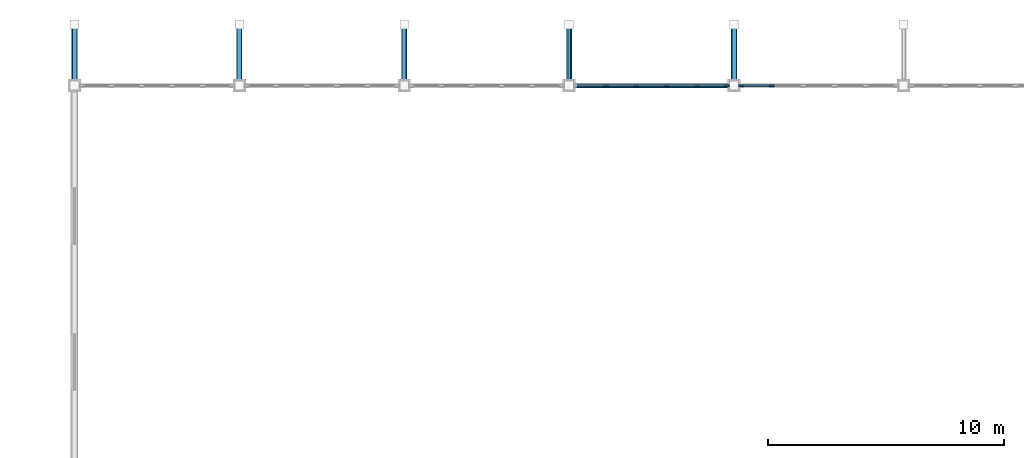
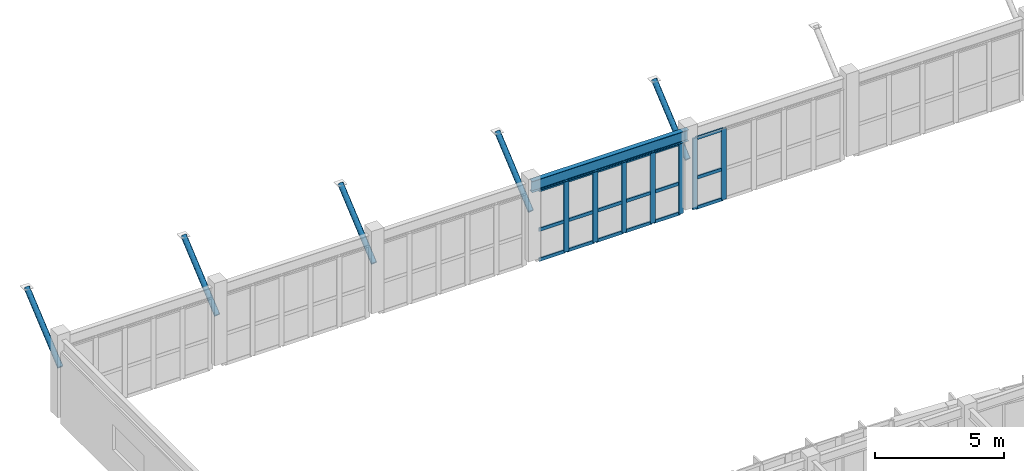
# One storey, part 43 of 111: 30 members, 1 beam, 2 elements without a shape of their own.
"""IFC4 building model written with IfcOpenShell, lengths in metres."""

from ifc_helpers import new_model, si_unit, direction, frame, origin, origin_2d, place, context, subcontext, project, spatial, rectangle, hollow_circle, i_section, extrude, material, material_profile, profile_set, type_object, element, aggregate, save


model = new_model("IFC4")

# Units and contexts
model_context = context("Model", 3, precision=1e-05, world=origin(), true_north=direction((0.0, 1.0)))
body_context = subcontext(model_context, "Body", "Model", "MODEL_VIEW")
ifc_project = project(units=[si_unit("LENGTHUNIT", "METRE"), si_unit("AREAUNIT", "SQUARE_METRE"), si_unit("VOLUMEUNIT", "CUBIC_METRE"), si_unit("PLANEANGLEUNIT", "RADIAN"), si_unit("MASSUNIT", "GRAM", prefix="KILO")], contexts=[model_context])

# Site, building, storey
site_placement = place(None, origin())
site = spatial("IfcSite", under=ifc_project, at=site_placement, CompositionType="ELEMENT")
building_placement = place(site_placement, origin())
building = spatial("IfcBuilding", under=site, at=building_placement, Name="Corveleigh Park Community Centre", CompositionType="ELEMENT")
storey_placement = place(building_placement, frame((0.0, 0.0, 4.800048828125)))
storey = spatial("IfcBuildingStorey", under=building, at=storey_placement, Name="L01", CompositionType="ELEMENT", Elevation=4.800048828125)

# Beam
ifc_material_1 = material(Name="Steel S355", Category="steel")
ifc_material_profile_1 = material_profile(ifc_material_1, i_section(OverallWidth=0.2099609375, OverallDepth=0.53662109375, WebThickness=0.0107421875, FlangeThickness=0.017333984375, at=origin_2d()), Name="UKB 533x210x101", Category="steel")
ifc_profile_set_1 = profile_set([ifc_material_profile_1], Name="Steel S355")
beam_type = type_object("IfcBeamType", Name="BM-STL-UKB533x101", PredefinedType="BEAM", material=ifc_profile_set_1)
beam_placement = place(storey_placement, frame((32.205078125, 114.39990234375, 3.34375), z_axis=(1.0, 0.0, 0.0), x_axis=(0.0, 1.0, 0.0)))
element("IfcBeam", 1, at=beam_placement, inside=storey, type_object=beam_type, Name="V2 North Hall Girder", PredefinedType="BEAM", context=body_context, shape_type="SweptSolid", body=[
    extrude(i_section(OverallWidth=0.2099609375, OverallDepth=0.53662109375, WebThickness=0.0107421875, FlangeThickness=0.017333984375, at=origin_2d()), origin(), (0.0, 0.0, 1.0), 6.989990234375),
])

# Curtain wall, members
ifc_material_2 = material(Name="Anodised aluminium 6063-T6", Category="aluminium")
curtain_wall_type = type_object("IfcCurtainWallType", Name="CW-SYS-V2-HALL", PredefinedType="NOTDEFINED", material=ifc_material_2)
curtain_wall_1_placement = place(storey_placement, origin())
curtain_wall_1 = element("IfcCurtainWall", 2, at=curtain_wall_1_placement, inside=storey, type_object=curtain_wall_type, Name="Sports Hall North Clerestory CW 4", PredefinedType="NOTDEFINED")
ifc_material_profile_2 = material_profile(ifc_material_2, rectangle(XDim=0.074951171875, YDim=0.219970703125, at=origin_2d()), Name="ALU-M75x220", Category="aluminium")
ifc_profile_set_2 = profile_set([ifc_material_profile_2], Name="Anodised aluminium 6063-T6")
member_type_1 = type_object("IfcMemberType", Name="CWM-75x220", PredefinedType="MULLION", material=ifc_profile_set_2)
member_1_placement = place(storey_placement, frame((38.887451171875, 114.39990234375, -0.2880859375), z_axis=(0.0, 0.0, 1.0), x_axis=(0.0, -1.0, 0.0)))
member_1 = element("IfcMember", 3, at=member_1_placement, type_object=member_type_1, Name="CW04 mullion 1", PredefinedType="MULLION", context=body_context, shape_type="SweptSolid", body=[
    extrude(rectangle(XDim=0.074951171875, YDim=0.219970703125, at=origin_2d()), origin(), (0.0, 0.0, 1.0), 3.35107421875),
])
member_2_placement = place(storey_placement, frame((37.635009765625, 114.39990234375, -0.2880859375), z_axis=(0.0, 0.0, 1.0), x_axis=(0.0, -1.0, 0.0)))
member_2 = element("IfcMember", 4, at=member_2_placement, type_object=member_type_1, Name="CW04 mullion 2", PredefinedType="MULLION", context=body_context, shape_type="SweptSolid", body=[
    extrude(rectangle(XDim=0.074951171875, YDim=0.219970703125, at=origin_2d()), origin(), (0.0, 0.0, 1.0), 3.35107421875),
])
member_3_placement = place(storey_placement, frame((36.344970703125, 114.39990234375, -0.2880859375), z_axis=(0.0, 0.0, 1.0), x_axis=(0.0, -1.0, 0.0)))
member_3 = element("IfcMember", 5, at=member_3_placement, type_object=member_type_1, Name="CW04 mullion 3", PredefinedType="MULLION", context=body_context, shape_type="SweptSolid", body=[
    extrude(rectangle(XDim=0.074951171875, YDim=0.219970703125, at=origin_2d()), origin(), (0.0, 0.0, 1.0), 3.35107421875),
])
member_4_placement = place(storey_placement, frame((35.054931640625, 114.39990234375, -0.2880859375), z_axis=(0.0, 0.0, 1.0), x_axis=(0.0, -1.0, 0.0)))
member_4 = element("IfcMember", 6, at=member_4_placement, type_object=member_type_1, Name="CW04 mullion 4", PredefinedType="MULLION", context=body_context, shape_type="SweptSolid", body=[
    extrude(rectangle(XDim=0.074951171875, YDim=0.219970703125, at=origin_2d()), origin(), (0.0, 0.0, 1.0), 3.35107421875),
])
member_5_placement = place(storey_placement, frame((33.764892578125, 114.39990234375, -0.2880859375), z_axis=(0.0, 0.0, 1.0), x_axis=(0.0, -1.0, 0.0)))
member_5 = element("IfcMember", 7, at=member_5_placement, type_object=member_type_1, Name="CW04 mullion 5", PredefinedType="MULLION", context=body_context, shape_type="SweptSolid", body=[
    extrude(rectangle(XDim=0.074951171875, YDim=0.219970703125, at=origin_2d()), origin(), (0.0, 0.0, 1.0), 3.35107421875),
])

curtain_wall_2_placement = place(storey_placement, origin())
curtain_wall_2 = element("IfcCurtainWall", 8, at=curtain_wall_2_placement, inside=storey, type_object=curtain_wall_type, Name="Sports Hall North Clerestory CW 5", PredefinedType="NOTDEFINED")
member_6_placement = place(storey_placement, frame((40.804931640625, 114.39990234375, -0.2880859375), z_axis=(0.0, 0.0, 1.0), x_axis=(0.0, -1.0, 0.0)))
member_6 = element("IfcMember", 9, at=member_6_placement, type_object=member_type_1, Name="CW04 mullion 5", PredefinedType="MULLION", context=body_context, shape_type="SweptSolid", body=[
    extrude(rectangle(XDim=0.074951171875, YDim=0.219970703125, at=origin_2d()), origin(), (0.0, 0.0, 1.0), 3.35107421875),
])
member_7_placement = place(storey_placement, frame((39.512451171875, 114.39990234375, -0.2880859375), z_axis=(0.0, 0.0, 1.0), x_axis=(0.0, -1.0, 0.0)))
member_7 = element("IfcMember", 10, at=member_7_placement, type_object=member_type_1, Name="CW04 mullion 6", PredefinedType="MULLION", context=body_context, shape_type="SweptSolid", body=[
    extrude(rectangle(XDim=0.074951171875, YDim=0.219970703125, at=origin_2d()), origin(), (0.0, 0.0, 1.0), 3.35107421875),
])

# Member
ifc_material_profile_3 = material_profile(ifc_material_2, rectangle(XDim=0.070068359375, YDim=0.155029296875, at=origin_2d()), Name="ALU-T70x155", Category="aluminium")
ifc_profile_set_3 = profile_set([ifc_material_profile_3], Name="Anodised aluminium 6063-T6")
member_type_2 = type_object("IfcMemberType", Name="CWT-70x155", PredefinedType="USERDEFINED", material=ifc_profile_set_3)
member_8_placement = place(storey_placement, frame((38.85009765625, 114.39990234375, -0.2529296875), z_axis=(-1.0, 0.0, 0.0), x_axis=(0.0, -1.0, 0.0)))
member_8 = element("IfcMember", 11, at=member_8_placement, type_object=member_type_2, Name="CW04 transom 1.1", ObjectType="TRANSOM", PredefinedType="USERDEFINED", context=body_context, shape_type="SweptSolid", body=[
    extrude(rectangle(XDim=0.070068359375, YDim=0.155029296875, at=origin_2d()), origin(), (0.0, 0.0, 1.0), 1.177490234375),
])

member_9_placement = place(storey_placement, frame((38.85009765625, 114.39990234375, 1.161865234375), z_axis=(-1.0, 0.0, 0.0), x_axis=(0.0, -1.0, 0.0)))
member_9 = element("IfcMember", 12, at=member_9_placement, type_object=member_type_2, Name="CW04 transom 1.2", ObjectType="TRANSOM", PredefinedType="USERDEFINED", context=body_context, shape_type="SweptSolid", body=[
    extrude(rectangle(XDim=0.070068359375, YDim=0.155029296875, at=origin_2d()), origin(), (0.0, 0.0, 1.0), 1.177490234375),
])

member_10_placement = place(storey_placement, frame((38.85009765625, 114.39990234375, 3.02783203125), z_axis=(-1.0, 0.0, 0.0), x_axis=(0.0, -1.0, 0.0)))
member_10 = element("IfcMember", 13, at=member_10_placement, type_object=member_type_2, Name="CW04 transom 1.3", ObjectType="TRANSOM", PredefinedType="USERDEFINED", context=body_context, shape_type="SweptSolid", body=[
    extrude(rectangle(XDim=0.070068359375, YDim=0.155029296875, at=origin_2d()), origin(), (0.0, 0.0, 1.0), 1.177490234375),
])

member_11_placement = place(storey_placement, frame((37.597412109375, 114.39990234375, -0.2529296875), z_axis=(-1.0, 0.0, 0.0), x_axis=(0.0, -1.0, 0.0)))
member_11 = element("IfcMember", 14, at=member_11_placement, type_object=member_type_2, Name="CW04 transom 2.1", ObjectType="TRANSOM", PredefinedType="USERDEFINED", context=body_context, shape_type="SweptSolid", body=[
    extrude(rectangle(XDim=0.070068359375, YDim=0.155029296875, at=origin_2d()), origin(), (0.0, 0.0, 1.0), 1.21484375),
])

member_12_placement = place(storey_placement, frame((37.597412109375, 114.39990234375, 1.161865234375), z_axis=(-1.0, 0.0, 0.0), x_axis=(0.0, -1.0, 0.0)))
member_12 = element("IfcMember", 15, at=member_12_placement, type_object=member_type_2, Name="CW04 transom 2.2", ObjectType="TRANSOM", PredefinedType="USERDEFINED", context=body_context, shape_type="SweptSolid", body=[
    extrude(rectangle(XDim=0.070068359375, YDim=0.155029296875, at=origin_2d()), origin(), (0.0, 0.0, 1.0), 1.21484375),
])

member_13_placement = place(storey_placement, frame((37.597412109375, 114.39990234375, 3.02783203125), z_axis=(-1.0, 0.0, 0.0), x_axis=(0.0, -1.0, 0.0)))
member_13 = element("IfcMember", 16, at=member_13_placement, type_object=member_type_2, Name="CW04 transom 2.3", ObjectType="TRANSOM", PredefinedType="USERDEFINED", context=body_context, shape_type="SweptSolid", body=[
    extrude(rectangle(XDim=0.070068359375, YDim=0.155029296875, at=origin_2d()), origin(), (0.0, 0.0, 1.0), 1.21484375),
])

member_14_placement = place(storey_placement, frame((36.3076171875, 114.39990234375, -0.2529296875), z_axis=(-1.0, 0.0, 0.0), x_axis=(0.0, -1.0, 0.0)))
member_14 = element("IfcMember", 17, at=member_14_placement, type_object=member_type_2, Name="CW04 transom 3.1", ObjectType="TRANSOM", PredefinedType="USERDEFINED", context=body_context, shape_type="SweptSolid", body=[
    extrude(rectangle(XDim=0.070068359375, YDim=0.155029296875, at=origin_2d()), origin(), (0.0, 0.0, 1.0), 1.215087890625),
])

member_15_placement = place(storey_placement, frame((36.3076171875, 114.39990234375, 1.161865234375), z_axis=(-1.0, 0.0, 0.0), x_axis=(0.0, -1.0, 0.0)))
member_15 = element("IfcMember", 18, at=member_15_placement, type_object=member_type_2, Name="CW04 transom 3.2", ObjectType="TRANSOM", PredefinedType="USERDEFINED", context=body_context, shape_type="SweptSolid", body=[
    extrude(rectangle(XDim=0.070068359375, YDim=0.155029296875, at=origin_2d()), origin(), (0.0, 0.0, 1.0), 1.215087890625),
])

member_16_placement = place(storey_placement, frame((36.3076171875, 114.39990234375, 3.02783203125), z_axis=(-1.0, 0.0, 0.0), x_axis=(0.0, -1.0, 0.0)))
member_16 = element("IfcMember", 19, at=member_16_placement, type_object=member_type_2, Name="CW04 transom 3.3", ObjectType="TRANSOM", PredefinedType="USERDEFINED", context=body_context, shape_type="SweptSolid", body=[
    extrude(rectangle(XDim=0.070068359375, YDim=0.155029296875, at=origin_2d()), origin(), (0.0, 0.0, 1.0), 1.215087890625),
])

member_17_placement = place(storey_placement, frame((35.017578125, 114.39990234375, -0.2529296875), z_axis=(-1.0, 0.0, 0.0), x_axis=(0.0, -1.0, 0.0)))
member_17 = element("IfcMember", 20, at=member_17_placement, type_object=member_type_2, Name="CW04 transom 4.1", ObjectType="TRANSOM", PredefinedType="USERDEFINED", context=body_context, shape_type="SweptSolid", body=[
    extrude(rectangle(XDim=0.070068359375, YDim=0.155029296875, at=origin_2d()), origin(), (0.0, 0.0, 1.0), 1.215087890625),
])

member_18_placement = place(storey_placement, frame((35.017578125, 114.39990234375, 1.161865234375), z_axis=(-1.0, 0.0, 0.0), x_axis=(0.0, -1.0, 0.0)))
member_18 = element("IfcMember", 21, at=member_18_placement, type_object=member_type_2, Name="CW04 transom 4.2", ObjectType="TRANSOM", PredefinedType="USERDEFINED", context=body_context, shape_type="SweptSolid", body=[
    extrude(rectangle(XDim=0.070068359375, YDim=0.155029296875, at=origin_2d()), origin(), (0.0, 0.0, 1.0), 1.215087890625),
])

member_19_placement = place(storey_placement, frame((35.017578125, 114.39990234375, 3.02783203125), z_axis=(-1.0, 0.0, 0.0), x_axis=(0.0, -1.0, 0.0)))
member_19 = element("IfcMember", 22, at=member_19_placement, type_object=member_type_2, Name="CW04 transom 4.3", ObjectType="TRANSOM", PredefinedType="USERDEFINED", context=body_context, shape_type="SweptSolid", body=[
    extrude(rectangle(XDim=0.070068359375, YDim=0.155029296875, at=origin_2d()), origin(), (0.0, 0.0, 1.0), 1.215087890625),
])

member_20_placement = place(storey_placement, frame((33.7275390625, 114.39990234375, -0.2529296875), z_axis=(-1.0, 0.0, 0.0), x_axis=(0.0, -1.0, 0.0)))
member_20 = element("IfcMember", 23, at=member_20_placement, type_object=member_type_2, Name="CW04 transom 5.1", ObjectType="TRANSOM", PredefinedType="USERDEFINED", context=body_context, shape_type="SweptSolid", body=[
    extrude(rectangle(XDim=0.070068359375, YDim=0.155029296875, at=origin_2d()), origin(), (0.0, 0.0, 1.0), 1.177490234375),
])

member_21_placement = place(storey_placement, frame((33.7275390625, 114.39990234375, 1.161865234375), z_axis=(-1.0, 0.0, 0.0), x_axis=(0.0, -1.0, 0.0)))
member_21 = element("IfcMember", 24, at=member_21_placement, type_object=member_type_2, Name="CW04 transom 5.2", ObjectType="TRANSOM", PredefinedType="USERDEFINED", context=body_context, shape_type="SweptSolid", body=[
    extrude(rectangle(XDim=0.070068359375, YDim=0.155029296875, at=origin_2d()), origin(), (0.0, 0.0, 1.0), 1.177490234375),
])

member_22_placement = place(storey_placement, frame((33.7275390625, 114.39990234375, 3.02783203125), z_axis=(-1.0, 0.0, 0.0), x_axis=(0.0, -1.0, 0.0)))
member_22 = element("IfcMember", 25, at=member_22_placement, type_object=member_type_2, Name="CW04 transom 5.3", ObjectType="TRANSOM", PredefinedType="USERDEFINED", context=body_context, shape_type="SweptSolid", body=[
    extrude(rectangle(XDim=0.070068359375, YDim=0.155029296875, at=origin_2d()), origin(), (0.0, 0.0, 1.0), 1.177490234375),
])

aggregate(curtain_wall_1, [member_1, member_2, member_3, member_4, member_5, member_8, member_9, member_10, member_11, member_12, member_13, member_14, member_15, member_16, member_17, member_18, member_19, member_20, member_21, member_22])

member_23_placement = place(storey_placement, frame((40.767578125, 114.39990234375, -0.2529296875), z_axis=(-1.0, 0.0, 0.0), x_axis=(0.0, -1.0, 0.0)))
member_23 = element("IfcMember", 26, at=member_23_placement, type_object=member_type_2, Name="CW04 transom 5.1", ObjectType="TRANSOM", PredefinedType="USERDEFINED", context=body_context, shape_type="SweptSolid", body=[
    extrude(rectangle(XDim=0.070068359375, YDim=0.155029296875, at=origin_2d()), origin(), (0.0, 0.0, 1.0), 1.217529296875),
])

member_24_placement = place(storey_placement, frame((40.767578125, 114.39990234375, 1.161865234375), z_axis=(-1.0, 0.0, 0.0), x_axis=(0.0, -1.0, 0.0)))
member_24 = element("IfcMember", 27, at=member_24_placement, type_object=member_type_2, Name="CW04 transom 5.2", ObjectType="TRANSOM", PredefinedType="USERDEFINED", context=body_context, shape_type="SweptSolid", body=[
    extrude(rectangle(XDim=0.070068359375, YDim=0.155029296875, at=origin_2d()), origin(), (0.0, 0.0, 1.0), 1.217529296875),
])

member_25_placement = place(storey_placement, frame((40.767578125, 114.39990234375, 3.02783203125), z_axis=(-1.0, 0.0, 0.0), x_axis=(0.0, -1.0, 0.0)))
member_25 = element("IfcMember", 28, at=member_25_placement, type_object=member_type_2, Name="CW04 transom 5.3", ObjectType="TRANSOM", PredefinedType="USERDEFINED", context=body_context, shape_type="SweptSolid", body=[
    extrude(rectangle(XDim=0.070068359375, YDim=0.155029296875, at=origin_2d()), origin(), (0.0, 0.0, 1.0), 1.217529296875),
])

aggregate(curtain_wall_2, [member_6, member_7, member_23, member_24, member_25])

# Members
ifc_material_profile_4 = material_profile(ifc_material_1, hollow_circle(Radius=0.122314453125, WallThickness=0.012451171875, at=origin_2d()), Name="CHS 244.5x12.5", Category="steel")
ifc_profile_set_4 = profile_set([ifc_material_profile_4], Name="Steel S355")
member_type_3 = type_object("IfcMemberType", Name="MEM-STR-CHS245", PredefinedType="STRUT", material=ifc_profile_set_4)
for number, where, z_axis, x_axis, name in (
    (29, (11.199951171875, 114.39990234375, 2.14990234375), (0.0, 0.764253902898, 0.644915476558), (-1.0, 0.0, 0.0), "V2 North Sports Eave Raking Strut 1"),
    (30, (18.199951171875, 114.39990234375, 2.14990234375), (0.0, 0.764253902898, 0.644915476558), (-1.0, 0.0, 0.0), "V2 North Sports Eave Raking Strut 2"),
    (31, (25.199951171875, 114.39990234375, 2.14990234375), (0.0, 0.764253902898, 0.644915476558), (-1.0, 0.0, 0.0), "V2 North Sports Eave Raking Strut 3"),
    (32, (32.199951171875, 114.39990234375, 2.14990234375), (0.0, 0.764253902898, 0.644915476558), (-1.0, 0.0, 0.0), "V2 North Sports Eave Raking Strut 4"),
    (33, (39.199951171875, 114.39990234375, 2.14990234375), (0.0, 0.764253902898, 0.644915476558), (-1.0, 0.0, 0.0), "V2 North Sports Eave Raking Strut 5"),
):
    element("IfcMember", number, at=place(storey_placement, frame(where, z_axis=z_axis, x_axis=x_axis)), inside=storey, type_object=member_type_3, Name=name, PredefinedType="STRUT", context=body_context, shape_type="SweptSolid", body=[
        extrude(hollow_circle(Radius=0.122314453125, WallThickness=0.012451171875, at=origin_2d()), origin(), (0.0, 0.0, 1.0), 3.402099609375),
    ])

save(model, "model.ifc")
